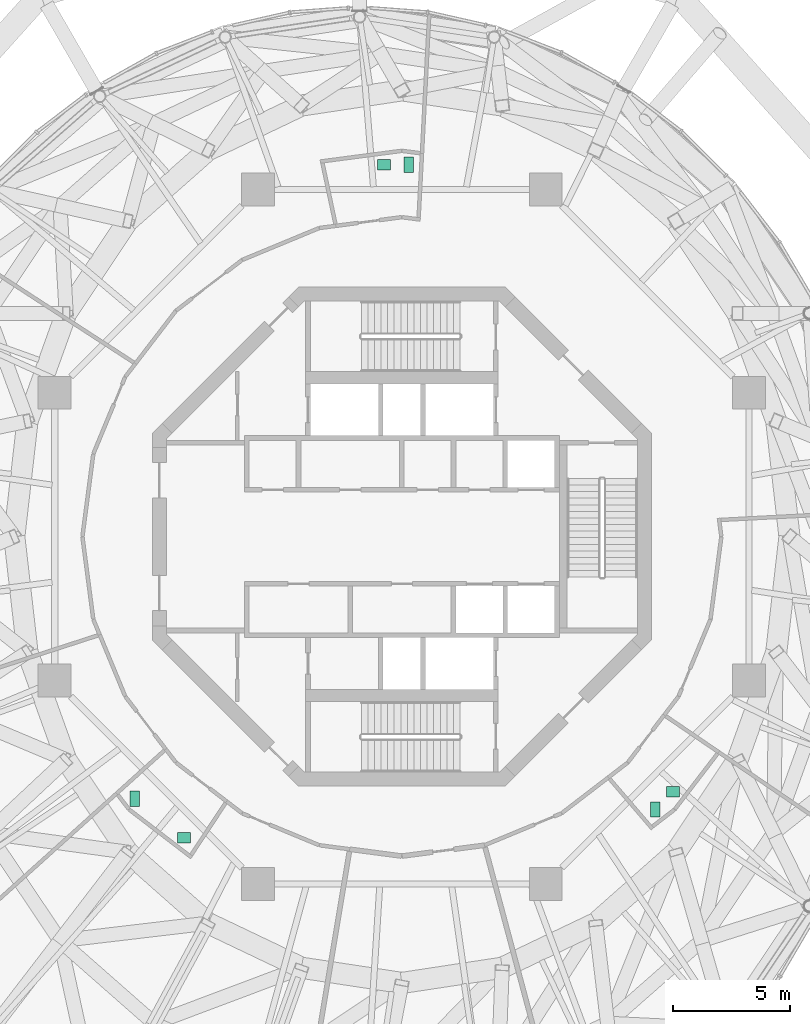
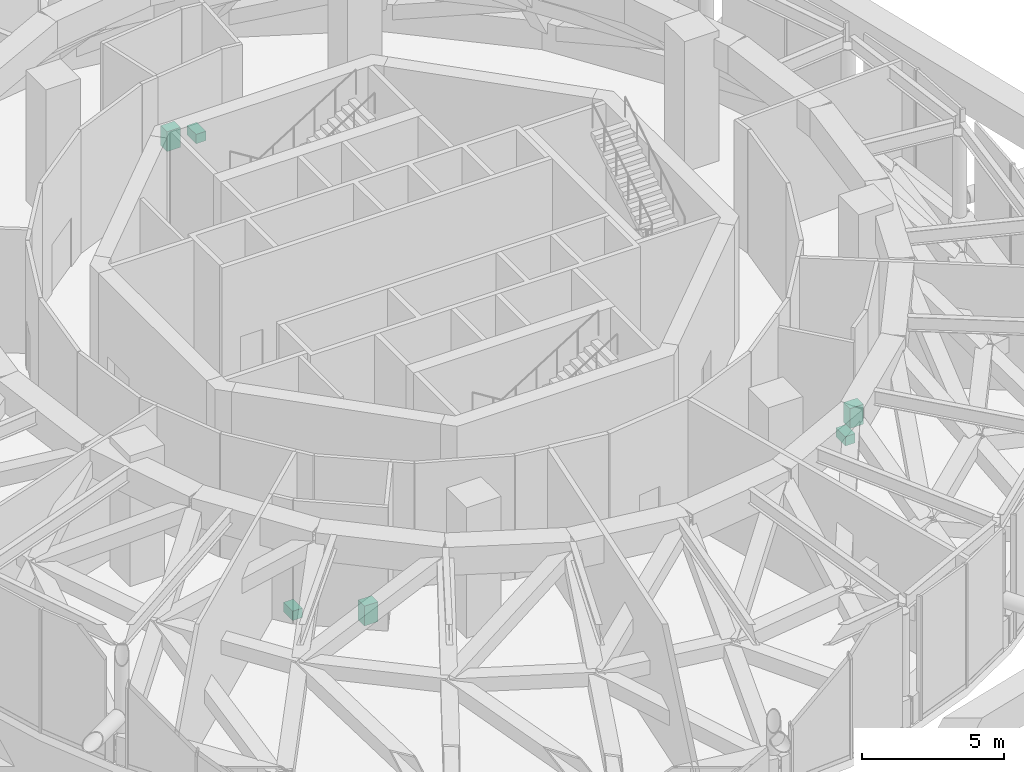
# One storey, part 22 of 22: 6 sanitary terminals.
"""IFC4 building model written with IfcOpenShell, lengths in metres."""

from ifc_helpers import new_model, si_unit, direction, frame, origin, origin_2d, place, context, subcontext, project, spatial, rectangle, extrude, material, type_object, element, save


model = new_model("IFC4")

# Units and contexts
model_context = context("Model", 3, precision=1e-05, world=origin(), true_north=direction((0.0, 1.0)))
body_context = subcontext(model_context, "Body", "Model", "MODEL_VIEW")
ifc_project = project(units=[si_unit("LENGTHUNIT", "METRE"), si_unit("AREAUNIT", "SQUARE_METRE"), si_unit("VOLUMEUNIT", "CUBIC_METRE"), si_unit("PLANEANGLEUNIT", "RADIAN"), si_unit("MASSUNIT", "GRAM", prefix="KILO")], contexts=[model_context])

# Site, building, storey
site_placement = place(None, origin())
site = spatial("IfcSite", under=ifc_project, at=site_placement, CompositionType="ELEMENT")
building_placement = place(site_placement, origin())
building = spatial("IfcBuilding", under=site, at=building_placement, Name="Nagisa Residences", CompositionType="ELEMENT")
storey_placement = place(building_placement, frame((0.0, 0.0, 310.300048828125)))
storey = spatial("IfcBuildingStorey", under=building, at=storey_placement, Name="L77", CompositionType="ELEMENT", Elevation=310.300048828125)

# Sanitary terminals
ifc_material_1 = material(Name="Vitreous china")
sanitary_terminal_type_1 = type_object("IfcSanitaryTerminalType", Name="WC pan", PredefinedType="WCSEAT", material=ifc_material_1)
for number, where, z_axis, x_axis, name in (
    (1, (0.294921875, 15.830078125, 0.0), (0.0, 0.0, 1.0), (1.0, 0.0, 0.0), "fix:L77:r1t3p0:wc"),
    (2, (-11.3779296875, -11.160888671875, 0.0), (0.0, 0.0, 1.0), (1.0, 0.0, 0.0), "fix:L77:r4t10p0:wc"),
    (3, (10.7919921875, -11.612060546875, 0.0), (0.0, 0.0, 1.0), (1.0, 0.0, 0.0), "fix:L77:r6t15p0:wc"),
):
    element("IfcSanitaryTerminal", number, at=place(storey_placement, frame(where, z_axis=z_axis, x_axis=x_axis)), inside=storey, type_object=sanitary_terminal_type_1, Name=name, PredefinedType="WCSEAT", context=body_context, shape_type="SweptSolid", body=[
        extrude(rectangle(XDim=0.39990234375, YDim=0.64990234375, at=origin_2d()), origin(), (0.0, 0.0, 1.0), 0.39990234375),
    ])
ifc_material_2 = material(Name="Vitreous china")
sanitary_terminal_type_2 = type_object("IfcSanitaryTerminalType", Name="Wash basin", PredefinedType="WASHHANDBASIN", material=ifc_material_2)
for number, where, z_axis, x_axis, name in (
    (4, (-0.7548828125, 15.830078125, 0.0), (0.0, 0.0, 1.0), (1.0, 0.0, 0.0), "fix:L77:r1t3p0:basin"),
    (5, (-9.278076171875, -12.81103515625, 0.0), (0.0, 0.0, 1.0), (1.0, 0.0, 0.0), "fix:L77:r4t10p0:basin"),
    (6, (11.5419921875, -10.862060546875, 0.0), (0.0, 0.0, 1.0), (1.0, 0.0, 0.0), "fix:L77:r6t15p0:basin"),
):
    element("IfcSanitaryTerminal", number, at=place(storey_placement, frame(where, z_axis=z_axis, x_axis=x_axis)), inside=storey, type_object=sanitary_terminal_type_2, Name=name, PredefinedType="WASHHANDBASIN", context=body_context, shape_type="SweptSolid", body=[
        extrude(rectangle(XDim=0.550048828125, YDim=0.449951171875, at=origin_2d()), origin(), (0.0, 0.0, 1.0), 0.85009765625),
    ])

save(model, "model.ifc")
